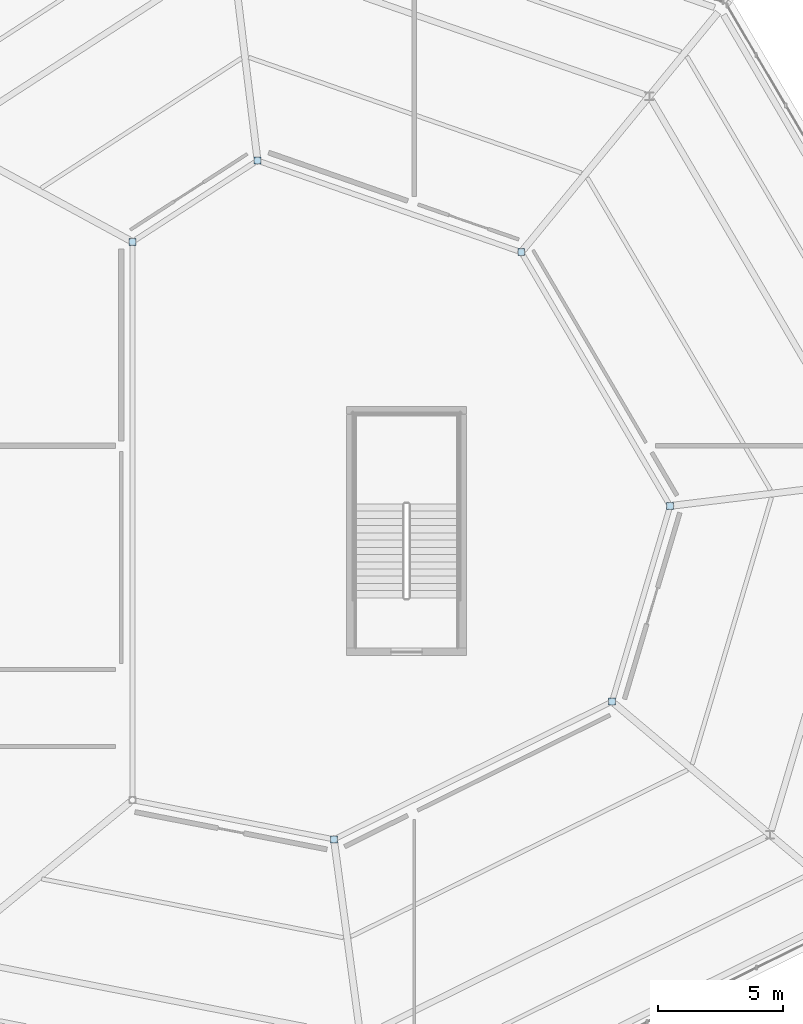
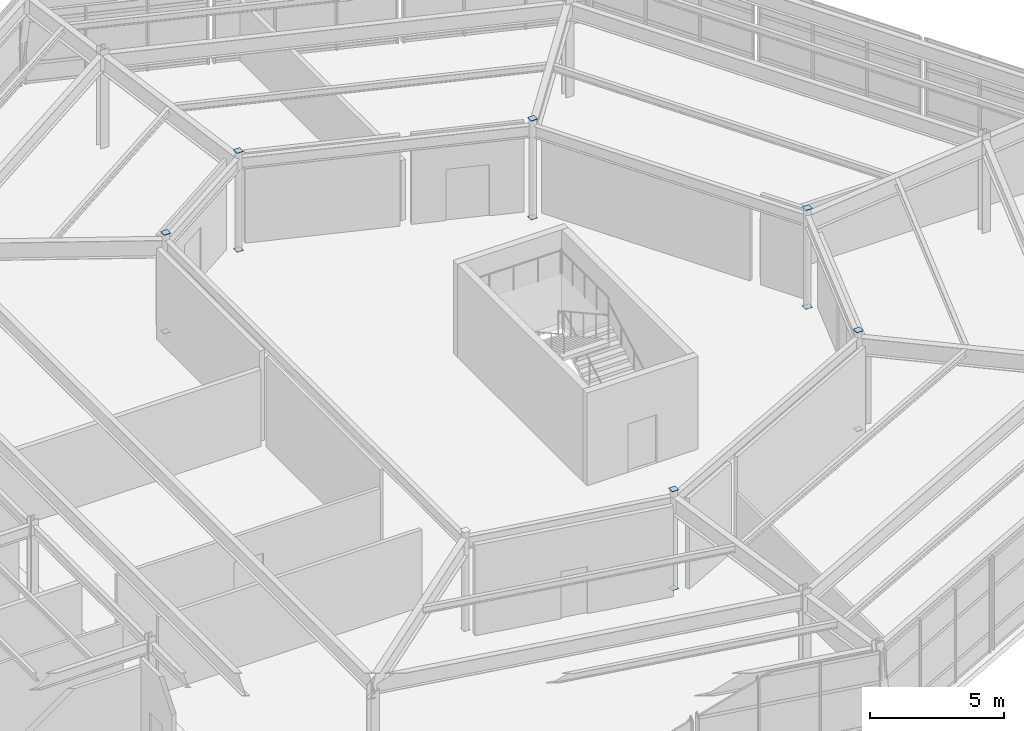
# One storey, part 48 of 69: 12 plates.
"""IFC4 building model written with IfcOpenShell, lengths in metres."""

from ifc_helpers import new_model, si_unit, direction, frame, origin, origin_2d, place, context, subcontext, project, spatial, rectangle, extrude, material, layer, layer_set, type_object, element, save


model = new_model("IFC4")

# Units and contexts
model_context = context("Model", 3, precision=1e-05, world=origin(), true_north=direction((0.0, 1.0)))
body_context = subcontext(model_context, "Body", "Model", "MODEL_VIEW")
ifc_project = project(units=[si_unit("LENGTHUNIT", "METRE"), si_unit("AREAUNIT", "SQUARE_METRE"), si_unit("VOLUMEUNIT", "CUBIC_METRE"), si_unit("PLANEANGLEUNIT", "RADIAN"), si_unit("MASSUNIT", "GRAM", prefix="KILO")], contexts=[model_context])

# Site, building, storey
site_placement = place(None, origin())
site = spatial("IfcSite", under=ifc_project, at=site_placement, CompositionType="ELEMENT")
building_placement = place(site_placement, origin())
building = spatial("IfcBuilding", under=site, at=building_placement, Name="Sarnbrook Museum", CompositionType="ELEMENT")
storey_placement = place(building_placement, frame((0.0, 0.0, 14.60009765625)))
storey = spatial("IfcBuildingStorey", under=building, at=storey_placement, Name="L03", CompositionType="ELEMENT", Elevation=14.60009765625)

# Plates
ifc_material = material(Name="Structural Steel Grade 350L0 (AS/NZS 3678, fy = 340 MPa for 20 < t <= 40 mm)", Category="steel")
ifc_layer = layer(ifc_material, 0.01611328125)
ifc_layer_set = layer_set([ifc_layer], Name="Structural Steel Grade 350L0 (AS/NZS 3678, fy = 340 MPa for 20 < t <= 40 mm)")
plate_type = type_object("IfcPlateType", Name="EndCapPlate_CAP273", PredefinedType="USERDEFINED", material=ifc_layer_set)
for number, where, z_axis, x_axis, name in (
    (1, (140.88720703125, 72.828857421875, -0.01611328125), (0.0, 0.0, 1.0), (1.0, 0.0, 0.0), "Hollow End Cap Plate COL:L03:V1R2-1-1"),
    (2, (140.88720703125, 72.828857421875, 4.499755859375), (0.0, 0.0, 1.0), (1.0, 0.0, 0.0), "Hollow End Cap Plate COL:L03:V1R2-1-2"),
    (3, (152.05029296875, 78.356201171875, -0.01611328125), (0.0, 0.0, 1.0), (1.0, 0.0, 0.0), "Hollow End Cap Plate COL:L03:V1R2-2-1"),
    (4, (152.05029296875, 78.356201171875, 4.499755859375), (0.0, 0.0, 1.0), (1.0, 0.0, 0.0), "Hollow End Cap Plate COL:L03:V1R2-2-2"),
    (5, (154.382080078125, 86.210205078125, -0.01611328125), (0.0, 0.0, 1.0), (1.0, 0.0, 0.0), "Hollow End Cap Plate COL:L03:V1R2-3-1"),
    (6, (154.382080078125, 86.210205078125, 4.499755859375), (0.0, 0.0, 1.0), (1.0, 0.0, 0.0), "Hollow End Cap Plate COL:L03:V1R2-3-2"),
    (7, (148.40576171875, 96.39599609375, -0.01611328125), (0.0, 0.0, 1.0), (1.0, 0.0, 0.0), "Hollow End Cap Plate COL:L03:V1R2-4-1"),
    (8, (148.40576171875, 96.39599609375, 4.499755859375), (0.0, 0.0, 1.0), (1.0, 0.0, 0.0), "Hollow End Cap Plate COL:L03:V1R2-4-2"),
    (9, (137.822509765625, 100.07080078125, -0.01611328125), (0.0, 0.0, 1.0), (1.0, 0.0, 0.0), "Hollow End Cap Plate COL:L03:V1R2-5-1"),
    (10, (137.822509765625, 100.07080078125, 4.499755859375), (0.0, 0.0, 1.0), (1.0, 0.0, 0.0), "Hollow End Cap Plate COL:L03:V1R2-5-2"),
    (11, (132.800048828125, 96.81201171875, -0.01611328125), (0.0, 0.0, 1.0), (1.0, 0.0, 0.0), "Hollow End Cap Plate COL:L03:V1R2-6-1"),
    (12, (132.800048828125, 96.81201171875, 4.499755859375), (0.0, 0.0, 1.0), (1.0, 0.0, 0.0), "Hollow End Cap Plate COL:L03:V1R2-6-2"),
):
    element("IfcPlate", number, at=place(storey_placement, frame(where, z_axis=z_axis, x_axis=x_axis)), inside=storey, type_object=plate_type, Name=name, ObjectType="END CAP PLATE", PredefinedType="USERDEFINED", context=body_context, shape_type="SweptSolid", body=[
        extrude(rectangle(XDim=0.280029296875, YDim=0.280029296875, at=origin_2d()), origin(), (0.0, 0.0, 1.0), 0.01611328125),
    ])

save(model, "model.ifc")
